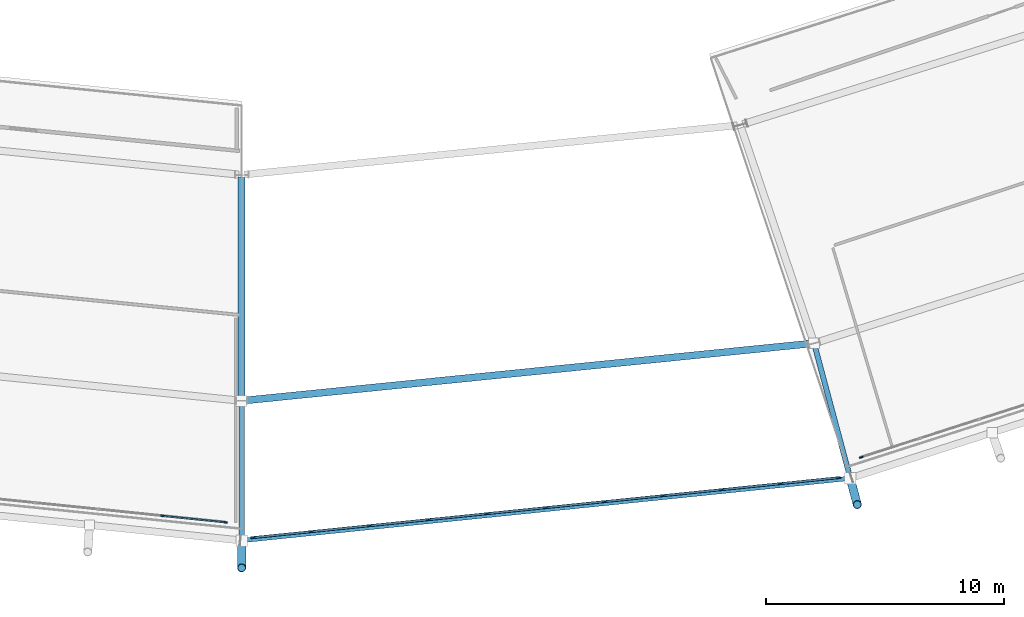
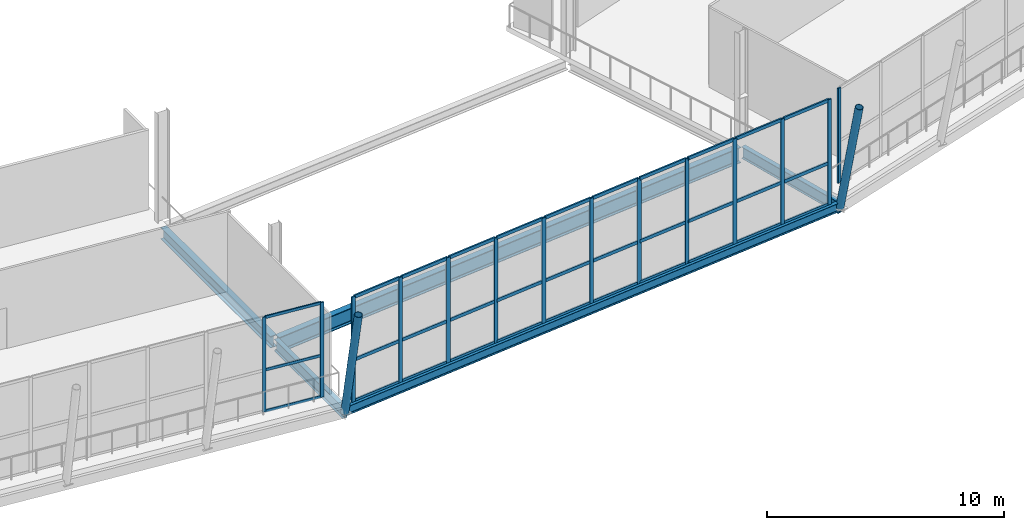
# One storey, part 23 of 99: 49 members, 5 beams, 3 elements without a shape of their own.
"""IFC4 building model written with IfcOpenShell, lengths in metres."""

from ifc_helpers import new_model, si_unit, direction, frame, origin, origin_2d, place, context, subcontext, project, spatial, rectangle, hollow_circle, i_section, extrude, material, material_profile, profile_set, type_object, element, aggregate, save


model = new_model("IFC4")

# Units and contexts
model_context = context("Model", 3, precision=1e-05, world=origin(), true_north=direction((0.0, 1.0)))
body_context = subcontext(model_context, "Body", "Model", "MODEL_VIEW")
ifc_project = project(units=[si_unit("LENGTHUNIT", "METRE"), si_unit("AREAUNIT", "SQUARE_METRE"), si_unit("VOLUMEUNIT", "CUBIC_METRE"), si_unit("PLANEANGLEUNIT", "RADIAN"), si_unit("MASSUNIT", "GRAM", prefix="KILO")], contexts=[model_context])

# Site, building, storey
site_placement = place(None, origin())
site = spatial("IfcSite", under=ifc_project, at=site_placement, CompositionType="ELEMENT")
building_placement = place(site_placement, origin())
building = spatial("IfcBuilding", under=site, at=building_placement, Name="Zlatoyarsky Gate Stadium", CompositionType="ELEMENT")
storey_placement = place(building_placement, frame((0.0, 0.0, 26.199951171875)))
storey = spatial("IfcBuildingStorey", under=building, at=storey_placement, Name="L05", CompositionType="ELEMENT", Elevation=26.199951171875)

# Curtain wall, members
ifc_material_1 = material(Name="Thermally broken anodised aluminium curtain wall", Category="aluminium")
curtain_wall_type_1 = type_object("IfcCurtainWallType", Name="MONUMENTAL ARCHED GATE GLAZING UPPER", PredefinedType="USERDEFINED", material=ifc_material_1)
curtain_wall_1_placement = place(storey_placement, origin())
curtain_wall_1 = element("IfcCurtainWall", 1, at=curtain_wall_1_placement, inside=storey, type_object=curtain_wall_type_1, Name="Curtain wall CW-L05-18", ObjectType="ARCHED GATE GLAZING", PredefinedType="USERDEFINED")
ifc_material_2 = material(Name="Anodised aluminium 6063-T6", Category="aluminium")
ifc_material_profile_1 = material_profile(ifc_material_2, rectangle(XDim=0.074951171875, YDim=0.18994140625, at=origin_2d()), Name="ALU 75X190")
ifc_profile_set_1 = profile_set([ifc_material_profile_1], Name="Anodised aluminium 6063-T6")
member_type_1 = type_object("IfcMemberType", Name="ALUMINIUM GATE MULLION 75X190", PredefinedType="MULLION", material=ifc_profile_set_1)
member_1_placement = place(storey_placement, frame((111.485107421875, 3.25146484375, -0.260009765625), z_axis=(0.0, 0.0, 1.0), x_axis=(-0.101805036399, 0.994804369996, 0.0)))
member_1 = element("IfcMember", 2, at=member_1_placement, type_object=member_type_1, Name="CW-AG2 mullion 1", PredefinedType="MULLION", context=body_context, shape_type="SweptSolid", body=[
    extrude(rectangle(XDim=0.074951171875, YDim=0.18994140625, at=origin_2d()), origin(), (0.0, 0.0, 1.0), 5.41015625),
])
member_2_placement = place(storey_placement, frame((113.915283203125, 3.500244140625, -0.260009765625), z_axis=(0.0, 0.0, 1.0), x_axis=(-0.101805036399, 0.994804369996, 0.0)))
member_2 = element("IfcMember", 3, at=member_2_placement, type_object=member_type_1, Name="CW-AG2 mullion 2", PredefinedType="MULLION", context=body_context, shape_type="SweptSolid", body=[
    extrude(rectangle(XDim=0.074951171875, YDim=0.18994140625, at=origin_2d()), origin(), (0.0, 0.0, 1.0), 5.41015625),
])
member_3_placement = place(storey_placement, frame((116.3828125, 3.752685546875, -0.260009765625), z_axis=(0.0, 0.0, 1.0), x_axis=(-0.101805036399, 0.994804369996, 0.0)))
member_3 = element("IfcMember", 4, at=member_3_placement, type_object=member_type_1, Name="CW-AG2 mullion 3", PredefinedType="MULLION", context=body_context, shape_type="SweptSolid", body=[
    extrude(rectangle(XDim=0.074951171875, YDim=0.18994140625, at=origin_2d()), origin(), (0.0, 0.0, 1.0), 5.41015625),
])
member_4_placement = place(storey_placement, frame((118.850341796875, 4.00537109375, -0.260009765625), z_axis=(0.0, 0.0, 1.0), x_axis=(-0.101805036399, 0.994804369996, 0.0)))
member_4 = element("IfcMember", 5, at=member_4_placement, type_object=member_type_1, Name="CW-AG2 mullion 4", PredefinedType="MULLION", context=body_context, shape_type="SweptSolid", body=[
    extrude(rectangle(XDim=0.074951171875, YDim=0.18994140625, at=origin_2d()), origin(), (0.0, 0.0, 1.0), 5.41015625),
])
member_5_placement = place(storey_placement, frame((121.31787109375, 4.2578125, -0.260009765625), z_axis=(0.0, 0.0, 1.0), x_axis=(-0.101805036399, 0.994804369996, 0.0)))
member_5 = element("IfcMember", 6, at=member_5_placement, type_object=member_type_1, Name="CW-AG2 mullion 5", PredefinedType="MULLION", context=body_context, shape_type="SweptSolid", body=[
    extrude(rectangle(XDim=0.074951171875, YDim=0.18994140625, at=origin_2d()), origin(), (0.0, 0.0, 1.0), 5.41015625),
])
member_6_placement = place(storey_placement, frame((123.785400390625, 4.51025390625, -0.260009765625), z_axis=(0.0, 0.0, 1.0), x_axis=(-0.101805036399, 0.994804369996, 0.0)))
member_6 = element("IfcMember", 7, at=member_6_placement, type_object=member_type_1, Name="CW-AG2 mullion 6", PredefinedType="MULLION", context=body_context, shape_type="SweptSolid", body=[
    extrude(rectangle(XDim=0.074951171875, YDim=0.18994140625, at=origin_2d()), origin(), (0.0, 0.0, 1.0), 5.41015625),
])
member_7_placement = place(storey_placement, frame((126.2529296875, 4.762939453125, -0.260009765625), z_axis=(0.0, 0.0, 1.0), x_axis=(-0.101805036399, 0.994804369996, 0.0)))
member_7 = element("IfcMember", 8, at=member_7_placement, type_object=member_type_1, Name="CW-AG2 mullion 7", PredefinedType="MULLION", context=body_context, shape_type="SweptSolid", body=[
    extrude(rectangle(XDim=0.074951171875, YDim=0.18994140625, at=origin_2d()), origin(), (0.0, 0.0, 1.0), 5.41015625),
])
member_8_placement = place(storey_placement, frame((128.720458984375, 5.015380859375, -0.260009765625), z_axis=(0.0, 0.0, 1.0), x_axis=(-0.101805036399, 0.994804369996, 0.0)))
member_8 = element("IfcMember", 9, at=member_8_placement, type_object=member_type_1, Name="CW-AG2 mullion 8", PredefinedType="MULLION", context=body_context, shape_type="SweptSolid", body=[
    extrude(rectangle(XDim=0.074951171875, YDim=0.18994140625, at=origin_2d()), origin(), (0.0, 0.0, 1.0), 5.41015625),
])
member_9_placement = place(storey_placement, frame((131.18798828125, 5.267822265625, -0.260009765625), z_axis=(0.0, 0.0, 1.0), x_axis=(-0.101805036399, 0.994804369996, 0.0)))
member_9 = element("IfcMember", 10, at=member_9_placement, type_object=member_type_1, Name="CW-AG2 mullion 9", PredefinedType="MULLION", context=body_context, shape_type="SweptSolid", body=[
    extrude(rectangle(XDim=0.074951171875, YDim=0.18994140625, at=origin_2d()), origin(), (0.0, 0.0, 1.0), 5.41015625),
])
member_10_placement = place(storey_placement, frame((133.655517578125, 5.520263671875, -0.260009765625), z_axis=(0.0, 0.0, 1.0), x_axis=(-0.101805036399, 0.994804369996, 0.0)))
member_10 = element("IfcMember", 11, at=member_10_placement, type_object=member_type_1, Name="CW-AG2 mullion 10", PredefinedType="MULLION", context=body_context, shape_type="SweptSolid", body=[
    extrude(rectangle(XDim=0.074951171875, YDim=0.18994140625, at=origin_2d()), origin(), (0.0, 0.0, 1.0), 5.41015625),
])
member_11_placement = place(storey_placement, frame((136.085693359375, 5.76904296875, -0.260009765625), z_axis=(0.0, 0.0, 1.0), x_axis=(-0.101805036399, 0.994804369996, 0.0)))
member_11 = element("IfcMember", 12, at=member_11_placement, type_object=member_type_1, Name="CW-AG2 mullion 11", PredefinedType="MULLION", context=body_context, shape_type="SweptSolid", body=[
    extrude(rectangle(XDim=0.074951171875, YDim=0.18994140625, at=origin_2d()), origin(), (0.0, 0.0, 1.0), 5.41015625),
])
ifc_material_profile_2 = material_profile(ifc_material_2, rectangle(XDim=0.074951171875, YDim=0.169921875, at=origin_2d()), Name="ALU 75X170")
ifc_profile_set_2 = profile_set([ifc_material_profile_2], Name="Anodised aluminium 6063-T6")
member_type_2 = type_object("IfcMemberType", Name="ALUMINIUM GATE TRANSOM 75X170", PredefinedType="USERDEFINED", material=ifc_profile_set_2)
member_12_placement = place(storey_placement, frame((111.522216796875, 3.25537109375, -0.222412109375), z_axis=(0.994809038473, 0.101759407293, 0.0), x_axis=(-0.101759407293, 0.994809038473, 0.0)))
member_12 = element("IfcMember", 13, at=member_12_placement, type_object=member_type_2, Name="CW-AG2 transom 1.1", ObjectType="TRANSOM", PredefinedType="USERDEFINED", context=body_context, shape_type="SweptSolid", body=[
    extrude(rectangle(XDim=0.074951171875, YDim=0.169921875, at=origin_2d()), origin(), (0.0, 0.0, 1.0), 2.367919921875),
])
member_13_placement = place(storey_placement, frame((111.522216796875, 3.25537109375, 1.89013671875), z_axis=(0.994809038473, 0.101759407293, 0.0), x_axis=(-0.101759407293, 0.994809038473, 0.0)))
member_13 = element("IfcMember", 14, at=member_13_placement, type_object=member_type_2, Name="CW-AG2 transom 1.2", ObjectType="TRANSOM", PredefinedType="USERDEFINED", context=body_context, shape_type="SweptSolid", body=[
    extrude(rectangle(XDim=0.074951171875, YDim=0.169921875, at=origin_2d()), origin(), (0.0, 0.0, 1.0), 2.367919921875),
])
member_14_placement = place(storey_placement, frame((111.522216796875, 3.25537109375, 5.112548828125), z_axis=(0.994809038473, 0.101759407293, 0.0), x_axis=(-0.101759407293, 0.994809038473, 0.0)))
member_14 = element("IfcMember", 15, at=member_14_placement, type_object=member_type_2, Name="CW-AG2 transom 1.3", ObjectType="TRANSOM", PredefinedType="USERDEFINED", context=body_context, shape_type="SweptSolid", body=[
    extrude(rectangle(XDim=0.074951171875, YDim=0.169921875, at=origin_2d()), origin(), (0.0, 0.0, 1.0), 2.367919921875),
])
member_15_placement = place(storey_placement, frame((113.95263671875, 3.504150390625, -0.222412109375), z_axis=(0.994804394575, 0.101804796221, 0.0), x_axis=(-0.101804796221, 0.994804394575, 0.0)))
member_15 = element("IfcMember", 16, at=member_15_placement, type_object=member_type_2, Name="CW-AG2 transom 2.1", ObjectType="TRANSOM", PredefinedType="USERDEFINED", context=body_context, shape_type="SweptSolid", body=[
    extrude(rectangle(XDim=0.074951171875, YDim=0.169921875, at=origin_2d()), origin(), (0.0, 0.0, 1.0), 2.4052734375),
])
member_16_placement = place(storey_placement, frame((113.95263671875, 3.504150390625, 1.89013671875), z_axis=(0.994804394575, 0.101804796221, 0.0), x_axis=(-0.101804796221, 0.994804394575, 0.0)))
member_16 = element("IfcMember", 17, at=member_16_placement, type_object=member_type_2, Name="CW-AG2 transom 2.2", ObjectType="TRANSOM", PredefinedType="USERDEFINED", context=body_context, shape_type="SweptSolid", body=[
    extrude(rectangle(XDim=0.074951171875, YDim=0.169921875, at=origin_2d()), origin(), (0.0, 0.0, 1.0), 2.4052734375),
])
member_17_placement = place(storey_placement, frame((113.95263671875, 3.504150390625, 5.112548828125), z_axis=(0.994804394575, 0.101804796221, 0.0), x_axis=(-0.101804796221, 0.994804394575, 0.0)))
member_17 = element("IfcMember", 18, at=member_17_placement, type_object=member_type_2, Name="CW-AG2 transom 2.3", ObjectType="TRANSOM", PredefinedType="USERDEFINED", context=body_context, shape_type="SweptSolid", body=[
    extrude(rectangle(XDim=0.074951171875, YDim=0.169921875, at=origin_2d()), origin(), (0.0, 0.0, 1.0), 2.4052734375),
])
member_18_placement = place(storey_placement, frame((116.420166015625, 3.756591796875, -0.222412109375), z_axis=(0.994804394575, 0.101804796221, 0.0), x_axis=(-0.101804796221, 0.994804394575, 0.0)))
member_18 = element("IfcMember", 19, at=member_18_placement, type_object=member_type_2, Name="CW-AG2 transom 3.1", ObjectType="TRANSOM", PredefinedType="USERDEFINED", context=body_context, shape_type="SweptSolid", body=[
    extrude(rectangle(XDim=0.074951171875, YDim=0.169921875, at=origin_2d()), origin(), (0.0, 0.0, 1.0), 2.4052734375),
])
member_19_placement = place(storey_placement, frame((116.420166015625, 3.756591796875, 1.89013671875), z_axis=(0.994804394575, 0.101804796221, 0.0), x_axis=(-0.101804796221, 0.994804394575, 0.0)))
member_19 = element("IfcMember", 20, at=member_19_placement, type_object=member_type_2, Name="CW-AG2 transom 3.2", ObjectType="TRANSOM", PredefinedType="USERDEFINED", context=body_context, shape_type="SweptSolid", body=[
    extrude(rectangle(XDim=0.074951171875, YDim=0.169921875, at=origin_2d()), origin(), (0.0, 0.0, 1.0), 2.4052734375),
])
member_20_placement = place(storey_placement, frame((116.420166015625, 3.756591796875, 5.112548828125), z_axis=(0.994804394575, 0.101804796221, 0.0), x_axis=(-0.101804796221, 0.994804394575, 0.0)))
member_20 = element("IfcMember", 21, at=member_20_placement, type_object=member_type_2, Name="CW-AG2 transom 3.3", ObjectType="TRANSOM", PredefinedType="USERDEFINED", context=body_context, shape_type="SweptSolid", body=[
    extrude(rectangle(XDim=0.074951171875, YDim=0.169921875, at=origin_2d()), origin(), (0.0, 0.0, 1.0), 2.4052734375),
])
member_21_placement = place(storey_placement, frame((118.8876953125, 4.009033203125, -0.222412109375), z_axis=(0.994804394575, 0.101804796221, 0.0), x_axis=(-0.101804796221, 0.994804394575, 0.0)))
member_21 = element("IfcMember", 22, at=member_21_placement, type_object=member_type_2, Name="CW-AG2 transom 4.1", ObjectType="TRANSOM", PredefinedType="USERDEFINED", context=body_context, shape_type="SweptSolid", body=[
    extrude(rectangle(XDim=0.074951171875, YDim=0.169921875, at=origin_2d()), origin(), (0.0, 0.0, 1.0), 2.4052734375),
])
member_22_placement = place(storey_placement, frame((118.8876953125, 4.009033203125, 1.89013671875), z_axis=(0.994804394575, 0.101804796221, 0.0), x_axis=(-0.101804796221, 0.994804394575, 0.0)))
member_22 = element("IfcMember", 23, at=member_22_placement, type_object=member_type_2, Name="CW-AG2 transom 4.2", ObjectType="TRANSOM", PredefinedType="USERDEFINED", context=body_context, shape_type="SweptSolid", body=[
    extrude(rectangle(XDim=0.074951171875, YDim=0.169921875, at=origin_2d()), origin(), (0.0, 0.0, 1.0), 2.4052734375),
])
member_23_placement = place(storey_placement, frame((118.8876953125, 4.009033203125, 5.112548828125), z_axis=(0.994804394575, 0.101804796221, 0.0), x_axis=(-0.101804796221, 0.994804394575, 0.0)))
member_23 = element("IfcMember", 24, at=member_23_placement, type_object=member_type_2, Name="CW-AG2 transom 4.3", ObjectType="TRANSOM", PredefinedType="USERDEFINED", context=body_context, shape_type="SweptSolid", body=[
    extrude(rectangle(XDim=0.074951171875, YDim=0.169921875, at=origin_2d()), origin(), (0.0, 0.0, 1.0), 2.4052734375),
])
member_24_placement = place(storey_placement, frame((121.355224609375, 4.26171875, -0.222412109375), z_axis=(0.994804394575, 0.101804796221, 0.0), x_axis=(-0.101804796221, 0.994804394575, 0.0)))
member_24 = element("IfcMember", 25, at=member_24_placement, type_object=member_type_2, Name="CW-AG2 transom 5.1", ObjectType="TRANSOM", PredefinedType="USERDEFINED", context=body_context, shape_type="SweptSolid", body=[
    extrude(rectangle(XDim=0.074951171875, YDim=0.169921875, at=origin_2d()), origin(), (0.0, 0.0, 1.0), 2.4052734375),
])
member_25_placement = place(storey_placement, frame((121.355224609375, 4.26171875, 1.89013671875), z_axis=(0.994804394575, 0.101804796221, 0.0), x_axis=(-0.101804796221, 0.994804394575, 0.0)))
member_25 = element("IfcMember", 26, at=member_25_placement, type_object=member_type_2, Name="CW-AG2 transom 5.2", ObjectType="TRANSOM", PredefinedType="USERDEFINED", context=body_context, shape_type="SweptSolid", body=[
    extrude(rectangle(XDim=0.074951171875, YDim=0.169921875, at=origin_2d()), origin(), (0.0, 0.0, 1.0), 2.4052734375),
])
member_26_placement = place(storey_placement, frame((121.355224609375, 4.26171875, 5.112548828125), z_axis=(0.994804394575, 0.101804796221, 0.0), x_axis=(-0.101804796221, 0.994804394575, 0.0)))
member_26 = element("IfcMember", 27, at=member_26_placement, type_object=member_type_2, Name="CW-AG2 transom 5.3", ObjectType="TRANSOM", PredefinedType="USERDEFINED", context=body_context, shape_type="SweptSolid", body=[
    extrude(rectangle(XDim=0.074951171875, YDim=0.169921875, at=origin_2d()), origin(), (0.0, 0.0, 1.0), 2.4052734375),
])
member_27_placement = place(storey_placement, frame((123.82275390625, 4.51416015625, -0.222412109375), z_axis=(0.994804394575, 0.101804796221, 0.0), x_axis=(-0.101804796221, 0.994804394575, 0.0)))
member_27 = element("IfcMember", 28, at=member_27_placement, type_object=member_type_2, Name="CW-AG2 transom 6.1", ObjectType="TRANSOM", PredefinedType="USERDEFINED", context=body_context, shape_type="SweptSolid", body=[
    extrude(rectangle(XDim=0.074951171875, YDim=0.169921875, at=origin_2d()), origin(), (0.0, 0.0, 1.0), 2.4052734375),
])
member_28_placement = place(storey_placement, frame((123.82275390625, 4.51416015625, 1.89013671875), z_axis=(0.994804394575, 0.101804796221, 0.0), x_axis=(-0.101804796221, 0.994804394575, 0.0)))
member_28 = element("IfcMember", 29, at=member_28_placement, type_object=member_type_2, Name="CW-AG2 transom 6.2", ObjectType="TRANSOM", PredefinedType="USERDEFINED", context=body_context, shape_type="SweptSolid", body=[
    extrude(rectangle(XDim=0.074951171875, YDim=0.169921875, at=origin_2d()), origin(), (0.0, 0.0, 1.0), 2.4052734375),
])
member_29_placement = place(storey_placement, frame((123.82275390625, 4.51416015625, 5.112548828125), z_axis=(0.994804394575, 0.101804796221, 0.0), x_axis=(-0.101804796221, 0.994804394575, 0.0)))
member_29 = element("IfcMember", 30, at=member_29_placement, type_object=member_type_2, Name="CW-AG2 transom 6.3", ObjectType="TRANSOM", PredefinedType="USERDEFINED", context=body_context, shape_type="SweptSolid", body=[
    extrude(rectangle(XDim=0.074951171875, YDim=0.169921875, at=origin_2d()), origin(), (0.0, 0.0, 1.0), 2.4052734375),
])
member_30_placement = place(storey_placement, frame((126.290283203125, 4.7666015625, -0.222412109375), z_axis=(0.994804394575, 0.101804796221, 0.0), x_axis=(-0.101804796221, 0.994804394575, 0.0)))
member_30 = element("IfcMember", 31, at=member_30_placement, type_object=member_type_2, Name="CW-AG2 transom 7.1", ObjectType="TRANSOM", PredefinedType="USERDEFINED", context=body_context, shape_type="SweptSolid", body=[
    extrude(rectangle(XDim=0.074951171875, YDim=0.169921875, at=origin_2d()), origin(), (0.0, 0.0, 1.0), 2.4052734375),
])
member_31_placement = place(storey_placement, frame((126.290283203125, 4.7666015625, 1.89013671875), z_axis=(0.994804394575, 0.101804796221, 0.0), x_axis=(-0.101804796221, 0.994804394575, 0.0)))
member_31 = element("IfcMember", 32, at=member_31_placement, type_object=member_type_2, Name="CW-AG2 transom 7.2", ObjectType="TRANSOM", PredefinedType="USERDEFINED", context=body_context, shape_type="SweptSolid", body=[
    extrude(rectangle(XDim=0.074951171875, YDim=0.169921875, at=origin_2d()), origin(), (0.0, 0.0, 1.0), 2.4052734375),
])
member_32_placement = place(storey_placement, frame((126.290283203125, 4.7666015625, 5.112548828125), z_axis=(0.994804394575, 0.101804796221, 0.0), x_axis=(-0.101804796221, 0.994804394575, 0.0)))
member_32 = element("IfcMember", 33, at=member_32_placement, type_object=member_type_2, Name="CW-AG2 transom 7.3", ObjectType="TRANSOM", PredefinedType="USERDEFINED", context=body_context, shape_type="SweptSolid", body=[
    extrude(rectangle(XDim=0.074951171875, YDim=0.169921875, at=origin_2d()), origin(), (0.0, 0.0, 1.0), 2.4052734375),
])
member_33_placement = place(storey_placement, frame((128.7578125, 5.01904296875, -0.222412109375), z_axis=(0.994794110081, 0.101905242988, 0.0), x_axis=(-0.101905242988, 0.994794110081, 0.0)))
member_33 = element("IfcMember", 34, at=member_33_placement, type_object=member_type_2, Name="CW-AG2 transom 8.1", ObjectType="TRANSOM", PredefinedType="USERDEFINED", context=body_context, shape_type="SweptSolid", body=[
    extrude(rectangle(XDim=0.074951171875, YDim=0.169921875, at=origin_2d()), origin(), (0.0, 0.0, 1.0), 2.4052734375),
])
member_34_placement = place(storey_placement, frame((128.7578125, 5.01904296875, 1.89013671875), z_axis=(0.994794110081, 0.101905242988, 0.0), x_axis=(-0.101905242988, 0.994794110081, 0.0)))
member_34 = element("IfcMember", 35, at=member_34_placement, type_object=member_type_2, Name="CW-AG2 transom 8.2", ObjectType="TRANSOM", PredefinedType="USERDEFINED", context=body_context, shape_type="SweptSolid", body=[
    extrude(rectangle(XDim=0.074951171875, YDim=0.169921875, at=origin_2d()), origin(), (0.0, 0.0, 1.0), 2.4052734375),
])
member_35_placement = place(storey_placement, frame((128.7578125, 5.01904296875, 5.112548828125), z_axis=(0.994794110081, 0.101905242988, 0.0), x_axis=(-0.101905242988, 0.994794110081, 0.0)))
member_35 = element("IfcMember", 36, at=member_35_placement, type_object=member_type_2, Name="CW-AG2 transom 8.3", ObjectType="TRANSOM", PredefinedType="USERDEFINED", context=body_context, shape_type="SweptSolid", body=[
    extrude(rectangle(XDim=0.074951171875, YDim=0.169921875, at=origin_2d()), origin(), (0.0, 0.0, 1.0), 2.4052734375),
])
member_36_placement = place(storey_placement, frame((131.225341796875, 5.271728515625, -0.222412109375), z_axis=(0.994804394575, 0.101804796221, 0.0), x_axis=(-0.101804796221, 0.994804394575, 0.0)))
member_36 = element("IfcMember", 37, at=member_36_placement, type_object=member_type_2, Name="CW-AG2 transom 9.1", ObjectType="TRANSOM", PredefinedType="USERDEFINED", context=body_context, shape_type="SweptSolid", body=[
    extrude(rectangle(XDim=0.074951171875, YDim=0.169921875, at=origin_2d()), origin(), (0.0, 0.0, 1.0), 2.4052734375),
])
member_37_placement = place(storey_placement, frame((131.225341796875, 5.271728515625, 1.89013671875), z_axis=(0.994804394575, 0.101804796221, 0.0), x_axis=(-0.101804796221, 0.994804394575, 0.0)))
member_37 = element("IfcMember", 38, at=member_37_placement, type_object=member_type_2, Name="CW-AG2 transom 9.2", ObjectType="TRANSOM", PredefinedType="USERDEFINED", context=body_context, shape_type="SweptSolid", body=[
    extrude(rectangle(XDim=0.074951171875, YDim=0.169921875, at=origin_2d()), origin(), (0.0, 0.0, 1.0), 2.4052734375),
])
member_38_placement = place(storey_placement, frame((131.225341796875, 5.271728515625, 5.112548828125), z_axis=(0.994804394575, 0.101804796221, 0.0), x_axis=(-0.101804796221, 0.994804394575, 0.0)))
member_38 = element("IfcMember", 39, at=member_38_placement, type_object=member_type_2, Name="CW-AG2 transom 9.3", ObjectType="TRANSOM", PredefinedType="USERDEFINED", context=body_context, shape_type="SweptSolid", body=[
    extrude(rectangle(XDim=0.074951171875, YDim=0.169921875, at=origin_2d()), origin(), (0.0, 0.0, 1.0), 2.4052734375),
])
member_39_placement = place(storey_placement, frame((133.69287109375, 5.524169921875, -0.222412109375), z_axis=(0.994798596446, 0.101861437795, 0.0), x_axis=(-0.101861437795, 0.994798596446, 0.0)))
member_39 = element("IfcMember", 40, at=member_39_placement, type_object=member_type_2, Name="CW-AG2 transom 10.1", ObjectType="TRANSOM", PredefinedType="USERDEFINED", context=body_context, shape_type="SweptSolid", body=[
    extrude(rectangle(XDim=0.074951171875, YDim=0.169921875, at=origin_2d()), origin(), (0.0, 0.0, 1.0), 2.367919921875),
])
member_40_placement = place(storey_placement, frame((133.69287109375, 5.524169921875, 1.89013671875), z_axis=(0.994798596446, 0.101861437795, 0.0), x_axis=(-0.101861437795, 0.994798596446, 0.0)))
member_40 = element("IfcMember", 41, at=member_40_placement, type_object=member_type_2, Name="CW-AG2 transom 10.2", ObjectType="TRANSOM", PredefinedType="USERDEFINED", context=body_context, shape_type="SweptSolid", body=[
    extrude(rectangle(XDim=0.074951171875, YDim=0.169921875, at=origin_2d()), origin(), (0.0, 0.0, 1.0), 2.367919921875),
])
member_41_placement = place(storey_placement, frame((133.69287109375, 5.524169921875, 5.112548828125), z_axis=(0.994798596446, 0.101861437795, 0.0), x_axis=(-0.101861437795, 0.994798596446, 0.0)))
member_41 = element("IfcMember", 42, at=member_41_placement, type_object=member_type_2, Name="CW-AG2 transom 10.3", ObjectType="TRANSOM", PredefinedType="USERDEFINED", context=body_context, shape_type="SweptSolid", body=[
    extrude(rectangle(XDim=0.074951171875, YDim=0.169921875, at=origin_2d()), origin(), (0.0, 0.0, 1.0), 2.367919921875),
])
aggregate(curtain_wall_1, [member_1, member_2, member_3, member_4, member_5, member_6, member_7, member_8, member_9, member_10, member_11, member_12, member_13, member_14, member_15, member_16, member_17, member_18, member_19, member_20, member_21, member_22, member_23, member_24, member_25, member_26, member_27, member_28, member_29, member_30, member_31, member_32, member_33, member_34, member_35, member_36, member_37, member_38, member_39, member_40, member_41])

curtain_wall_type_2 = type_object("IfcCurtainWallType", Name="UNITISED SKYBOX RING GLAZING L05", PredefinedType="USERDEFINED", material=ifc_material_1)
curtain_wall_2_placement = place(storey_placement, origin())
curtain_wall_2 = element("IfcCurtainWall", 43, at=curtain_wall_2_placement, inside=storey, type_object=curtain_wall_type_2, Name="Curtain wall CW-L05-17", ObjectType="UNITISED GLAZING", PredefinedType="USERDEFINED")
ifc_material_profile_3 = material_profile(ifc_material_2, rectangle(XDim=0.06494140625, YDim=0.159912109375, at=origin_2d()), Name="ALU 65X160")
ifc_profile_set_3 = profile_set([ifc_material_profile_3], Name="Anodised aluminium 6063-T6")
member_type_3 = type_object("IfcMemberType", Name="ALUMINIUM MULLION 65X160", PredefinedType="MULLION", material=ifc_profile_set_3)
member_42_placement = place(storey_placement, frame((107.673828125, 4.16162109375, 0.0), z_axis=(0.0, 0.0, 1.0), x_axis=(0.101618248063, 0.994823467586, 0.0)))
member_42 = element("IfcMember", 44, at=member_42_placement, type_object=member_type_3, Name="CW-UG5 mullion 9", PredefinedType="MULLION", context=body_context, shape_type="SweptSolid", body=[
    extrude(rectangle(XDim=0.06494140625, YDim=0.159912109375, at=origin_2d()), origin(), (0.0, 0.0, 1.0), 4.880126953125),
])
member_43_placement = place(storey_placement, frame((110.321044921875, 3.891357421875, 0.0), z_axis=(0.0, 0.0, 1.0), x_axis=(0.101618248063, 0.994823467586, 0.0)))
member_43 = element("IfcMember", 45, at=member_43_placement, type_object=member_type_3, Name="CW-UG5 mullion 10", PredefinedType="MULLION", context=body_context, shape_type="SweptSolid", body=[
    extrude(rectangle(XDim=0.06494140625, YDim=0.159912109375, at=origin_2d()), origin(), (0.0, 0.0, 1.0), 4.880126953125),
])

# Curtain wall, member
curtain_wall_3_placement = place(storey_placement, origin())
curtain_wall_3 = element("IfcCurtainWall", 46, at=curtain_wall_3_placement, inside=storey, type_object=curtain_wall_type_2, Name="Curtain wall CW-L05-19", ObjectType="UNITISED GLAZING", PredefinedType="USERDEFINED")
member_44_placement = place(storey_placement, frame((137.06005859375, 6.62646484375, 0.0), z_axis=(0.0, 0.0, 1.0), x_axis=(-0.305978007283, 0.952038580657, 0.0)))
member_44 = element("IfcMember", 47, at=member_44_placement, type_object=member_type_3, Name="CW-UG5 mullion 1", PredefinedType="MULLION", context=body_context, shape_type="SweptSolid", body=[
    extrude(rectangle(XDim=0.06494140625, YDim=0.159912109375, at=origin_2d()), origin(), (0.0, 0.0, 1.0), 4.880126953125),
])
aggregate(curtain_wall_3, [member_44])

# Member
ifc_material_profile_4 = material_profile(ifc_material_2, rectangle(XDim=0.06494140625, YDim=0.139892578125, at=origin_2d()), Name="ALU 65X140")
ifc_profile_set_4 = profile_set([ifc_material_profile_4], Name="Anodised aluminium 6063-T6")
member_type_4 = type_object("IfcMemberType", Name="ALUMINIUM TRANSOM 65X140", PredefinedType="USERDEFINED", material=ifc_profile_set_4)
member_45_placement = place(storey_placement, frame((107.7060546875, 4.158447265625, 0.032470703125), z_axis=(0.994819790569, -0.101654238927, 0.0), x_axis=(0.101654238927, 0.994819790569, 0.0)))
member_45 = element("IfcMember", 48, at=member_45_placement, type_object=member_type_4, Name="CW-UG5 transom 9.1", ObjectType="TRANSOM", PredefinedType="USERDEFINED", context=body_context, shape_type="SweptSolid", body=[
    extrude(rectangle(XDim=0.06494140625, YDim=0.139892578125, at=origin_2d()), origin(), (0.0, 0.0, 1.0), 2.59619140625),
])

member_46_placement = place(storey_placement, frame((107.7060546875, 4.158447265625, 2.150146484375), z_axis=(0.994819790569, -0.101654238927, 0.0), x_axis=(0.101654238927, 0.994819790569, 0.0)))
member_46 = element("IfcMember", 49, at=member_46_placement, type_object=member_type_4, Name="CW-UG5 transom 9.2", ObjectType="TRANSOM", PredefinedType="USERDEFINED", context=body_context, shape_type="SweptSolid", body=[
    extrude(rectangle(XDim=0.06494140625, YDim=0.139892578125, at=origin_2d()), origin(), (0.0, 0.0, 1.0), 2.59619140625),
])

member_47_placement = place(storey_placement, frame((107.7060546875, 4.158447265625, 4.84765625), z_axis=(0.994819790569, -0.101654238927, 0.0), x_axis=(0.101654238927, 0.994819790569, 0.0)))
member_47 = element("IfcMember", 50, at=member_47_placement, type_object=member_type_4, Name="CW-UG5 transom 9.3", ObjectType="TRANSOM", PredefinedType="USERDEFINED", context=body_context, shape_type="SweptSolid", body=[
    extrude(rectangle(XDim=0.06494140625, YDim=0.139892578125, at=origin_2d()), origin(), (0.0, 0.0, 1.0), 2.59619140625),
])

aggregate(curtain_wall_2, [member_42, member_43, member_45, member_46, member_47])

# Beams
ifc_material_3 = material(Name="Steel S355", Category="steel")
ifc_material_profile_5 = material_profile(ifc_material_3, i_section(OverallWidth=0.219970703125, OverallDepth=0.60009765625, WebThickness=0.011962890625, FlangeThickness=0.01904296875, FilletRadius=0.02392578125, at=origin_2d()), Name="IPE 600")
ifc_profile_set_5 = profile_set([ifc_material_profile_5], Name="Steel S355")
beam_type_1 = type_object("IfcBeamType", Name="STEEL CANTILEVER FLOOR BEAM IPE 600", PredefinedType="BEAM", material=ifc_profile_set_5)
beam_1_placement = place(storey_placement, frame((111.0, 8.8798828125, -0.56005859375), z_axis=(0.0, -1.0, 0.0), x_axis=(1.0, 0.0, 0.0)))
element("IfcBeam", 51, at=beam_1_placement, inside=storey, type_object=beam_type_1, Name="Beam B-IPE600 BM-L05-OUT-18", PredefinedType="BEAM", context=body_context, shape_type="SweptSolid", body=[
    extrude(i_section(OverallWidth=0.219970703125, OverallDepth=0.60009765625, WebThickness=0.011962890625, FlangeThickness=0.01904296875, FilletRadius=0.02392578125, at=origin_2d()), origin(), (0.0, 0.0, 1.0), 5.758056640625),
])
beam_2_placement = place(storey_placement, frame((135.101318359375, 11.303466796875, -0.56005859375), z_axis=(0.258802489691, -0.965930262146, 0.0), x_axis=(0.965930262146, 0.258802489691, 0.0)))
element("IfcBeam", 52, at=beam_2_placement, inside=storey, type_object=beam_type_1, Name="Beam B-IPE600 BM-L05-OUT-19", PredefinedType="BEAM", context=body_context, shape_type="SweptSolid", body=[
    extrude(i_section(OverallWidth=0.219970703125, OverallDepth=0.60009765625, WebThickness=0.011962890625, FlangeThickness=0.01904296875, FilletRadius=0.02392578125, at=origin_2d()), origin(), (0.0, 0.0, 1.0), 5.75830078125),
])
ifc_material_profile_6 = material_profile(ifc_material_3, i_section(OverallWidth=0.18994140625, OverallDepth=0.449951171875, WebThickness=0.009521484375, FlangeThickness=0.0146484375, FilletRadius=0.02099609375, at=origin_2d()), Name="IPE 450")
ifc_profile_set_6 = profile_set([ifc_material_profile_6], Name="Steel S355")
beam_type_2 = type_object("IfcBeamType", Name="STEEL EDGE SPANDREL IPE 450", PredefinedType="SPANDREL", material=ifc_profile_set_6)
beam_3_placement = place(storey_placement, frame((111.02001953125, 3.123779296875, -0.48486328125), z_axis=(0.994800962536, 0.10183832745, 0.0), x_axis=(-0.10183832745, 0.994800962536, 0.0)))
element("IfcBeam", 53, at=beam_3_placement, inside=storey, type_object=beam_type_2, Name="Beam SP-IPE450 BM-L05-SPD-18", PredefinedType="SPANDREL", context=body_context, shape_type="SweptSolid", body=[
    extrude(i_section(OverallWidth=0.18994140625, OverallDepth=0.449951171875, WebThickness=0.009521484375, FlangeThickness=0.0146484375, FilletRadius=0.02099609375, at=origin_2d()), origin(), (0.0, 0.0, 1.0), 25.68505859375),
])

# Members
ifc_material_profile_7 = material_profile(ifc_material_3, hollow_circle(Radius=0.177734375, WallThickness=0.02001953125, at=origin_2d()), Name="CHS 355.6X20")
ifc_profile_set_7 = profile_set([ifc_material_profile_7], Name="Steel S355")
member_type_5 = type_object("IfcMemberType", Name="STEEL LEANING RIB RING STRUT CHS 355.6X20", PredefinedType="STRUT", material=ifc_profile_set_7)
for number, where, z_axis, x_axis, name in (
    (54, (111.0, 3.121826171875, -0.56005859375), (0.0, -0.197333114492, 0.980336494233), (1.0, 0.0, 0.0), "Upper leaning rib ring strut 18"),
    (55, (136.591552734375, 5.741455078125, -0.56005859375), (0.051093460038, -0.190625969034, 0.980332187716), (0.965906333777, 0.258891781195, 0.0), "Upper leaning rib ring strut 19"),
):
    element("IfcMember", number, at=place(storey_placement, frame(where, z_axis=z_axis, x_axis=x_axis)), inside=storey, type_object=member_type_5, Name=name, PredefinedType="STRUT", context=body_context, shape_type="SweptSolid", body=[
        extrude(hollow_circle(Radius=0.177734375, WallThickness=0.02001953125, at=origin_2d()), origin(), (0.0, 0.0, 1.0), 5.82470703125),
    ])

# Beams
ifc_material_profile_8 = material_profile(ifc_material_3, i_section(OverallWidth=0.300048828125, OverallDepth=0.60009765625, WebThickness=0.015380859375, FlangeThickness=0.030029296875, FilletRadius=0.027099609375, at=origin_2d()), Name="HEB 600")
ifc_profile_set_8 = profile_set([ifc_material_profile_8], Name="Steel S355")
beam_type_3 = type_object("IfcBeamType", Name="STEEL PRIMARY GIRDER HEB 600", PredefinedType="BEAM", material=ifc_profile_set_8)
beam_4_placement = place(storey_placement, frame((111.0, 18.3798828125, -0.56005859375), z_axis=(0.0, -1.0, 0.0), x_axis=(1.0, 0.0, 0.0)))
element("IfcBeam", 56, at=beam_4_placement, inside=storey, type_object=beam_type_3, Name="Beam G-HEB600 BM-L05-RBC-18", PredefinedType="BEAM", context=body_context, shape_type="SweptSolid", body=[
    extrude(i_section(OverallWidth=0.300048828125, OverallDepth=0.60009765625, WebThickness=0.015380859375, FlangeThickness=0.030029296875, FilletRadius=0.027099609375, at=origin_2d()), origin(), (0.0, 0.0, 1.0), 9.259765625),
])
ifc_material_profile_9 = material_profile(ifc_material_3, i_section(OverallWidth=0.300048828125, OverallDepth=0.800048828125, WebThickness=0.017578125, FlangeThickness=0.032958984375, FilletRadius=0.030029296875, at=origin_2d()), Name="HEB 800")
ifc_profile_set_9 = profile_set([ifc_material_profile_9], Name="Steel S355")
beam_type_4 = type_object("IfcBeamType", Name="STEEL PRIMARY GIRDER HEB 800", PredefinedType="BEAM", material=ifc_profile_set_9)
beam_5_placement = place(storey_placement, frame((111.119384765625, 9.011962890625, -0.659912109375), z_axis=(0.994986905268, 0.100005291586, 0.0), x_axis=(-0.100005291586, 0.994986905268, 0.0)))
element("IfcBeam", 57, at=beam_5_placement, inside=storey, type_object=beam_type_4, Name="Beam G-HEB800 BM-L05-CRC-18", PredefinedType="BEAM", context=body_context, shape_type="SweptSolid", body=[
    extrude(i_section(OverallWidth=0.300048828125, OverallDepth=0.800048828125, WebThickness=0.017578125, FlangeThickness=0.032958984375, FilletRadius=0.030029296875, at=origin_2d()), origin(), (0.0, 0.0, 1.0), 23.951416015625),
])

save(model, "model.ifc")
